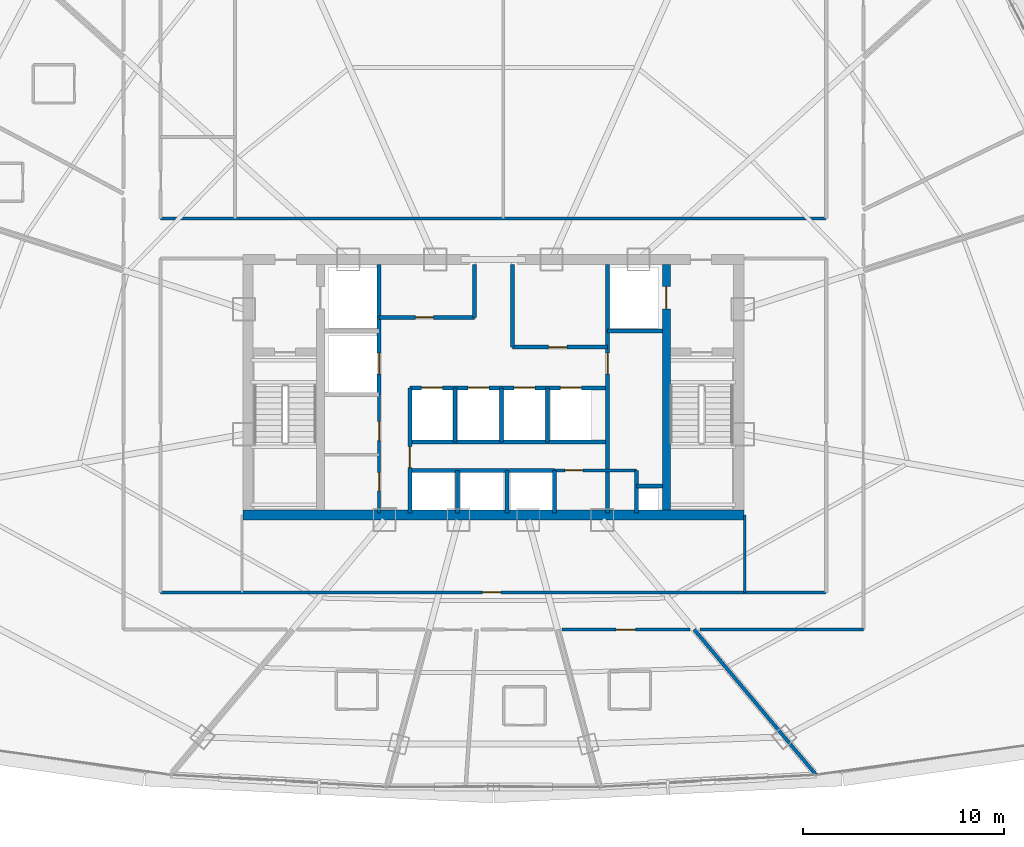
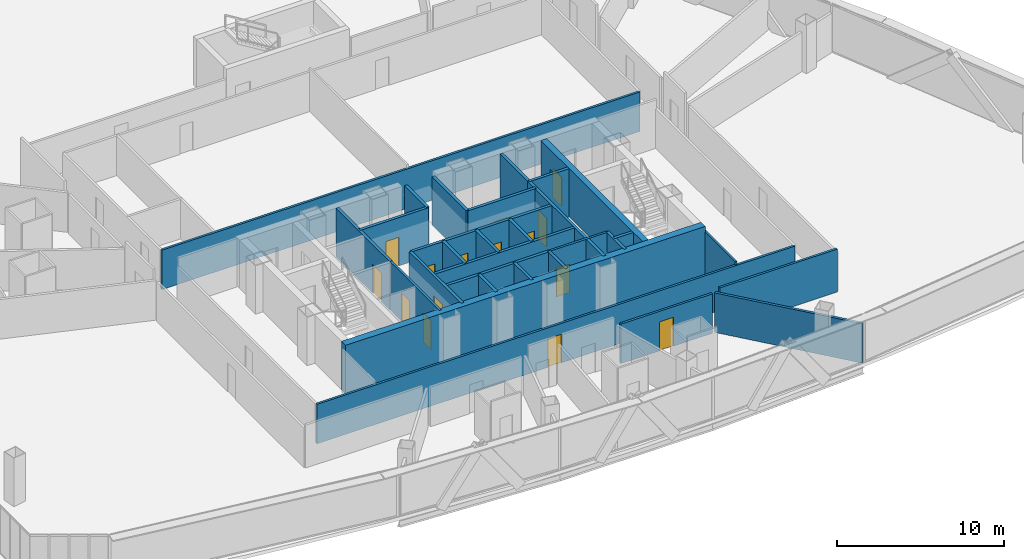
# One storey, part 33 of 40: 30 walls, 15 doors, 15 openings.
"""IFC4 building model written with IfcOpenShell, lengths in metres."""

from ifc_helpers import new_model, si_unit, direction, frame, frame_2d, origin, origin_with_axes, place, context, subcontext, project, spatial, rectangle, extrude, source, transform, mapped, material, layer, layer_set, type_object, element, fill, save


model = new_model("IFC4")

# Units and contexts
model_context = context("Model", 3, precision=1e-05, world=origin(), true_north=direction((0.0, 1.0)))
body_context = subcontext(model_context, "Body", "Model", "MODEL_VIEW")
ifc_project = project(units=[si_unit("LENGTHUNIT", "METRE"), si_unit("AREAUNIT", "SQUARE_METRE"), si_unit("VOLUMEUNIT", "CUBIC_METRE"), si_unit("PLANEANGLEUNIT", "RADIAN"), si_unit("MASSUNIT", "GRAM", prefix="KILO"), si_unit("THERMODYNAMICTEMPERATUREUNIT", "KELVIN"), si_unit("POWERUNIT", "WATT")], contexts=[model_context])

# Site, building, storey
site_placement = place(None, origin())
site = spatial("IfcSite", under=ifc_project, at=site_placement, CompositionType="ELEMENT")
building_placement = place(site_placement, origin())
building = spatial("IfcBuilding", under=site, at=building_placement, Name="Yunzhuo Pagoda Commons", CompositionType="ELEMENT")
storey_placement = place(building_placement, frame((0.0, 0.0, 180.9599609375)))
storey = spatial("IfcBuildingStorey", under=building, at=storey_placement, Name="L45", CompositionType="ELEMENT", Elevation=180.9599609375)

# Wall
ifc_material_1 = material(Name="Concrete C50", Category="concrete")
ifc_layer_1 = layer(ifc_material_1, 0.5)
ifc_layer_set_1 = layer_set([ifc_layer_1], Name="Concrete C50")
wall_type_1 = type_object("IfcWallType", Name="W-C03 Upper Core Shear Wall 500", PredefinedType="SHEAR", material=ifc_layer_set_1)
wall_1_placement = place(storey_placement, frame((35.550048828125, 27.5, 0.0), z_axis=(0.0, 0.0, 1.0), x_axis=(1.0, 0.0, 0.0)))
element("IfcWall", 1, at=wall_1_placement, inside=storey, type_object=wall_type_1, Name="L45 core shear wall S", PredefinedType="SHEAR", context=body_context, shape_type="SweptSolid", body=[
    extrude(rectangle(XDim=24.89990234375, YDim=0.5, at=frame_2d((12.449951171875, 0.0))), origin(), (0.0, 0.0, 1.0), 3.5400390625),
])

# Wall, openings, doors
ifc_material_2 = material(Name="Gypsum plasterboard on acoustic stud")
ifc_layer_2 = layer(ifc_material_2, 0.155029296875)
ifc_layer_set_2 = layer_set([ifc_layer_2], Name="Gypsum plasterboard on acoustic stud")
wall_type_2 = type_object("IfcWallType", Name="W-COR2 Mid-Zone Rated Corridor Wall 155", PredefinedType="PARTITIONING", material=ifc_layer_set_2)
wall_2_placement = place(storey_placement, frame((42.320068359375, 27.60009765625, 0.0), z_axis=(0.0, 0.0, 1.0), x_axis=(0.0, 1.0, 0.0)))
wall_2 = element("IfcWall", 2, at=wall_2_placement, inside=storey, type_object=wall_type_2, Name="L45 interior wall IW-L45-CSWE", PredefinedType="PARTITIONING", context=body_context, shape_type="SweptSolid", body=[
    extrude(rectangle(XDim=5.89990234375, YDim=0.155029296875, at=frame_2d((2.949951171875, 0.0))), origin(), (0.0, 0.0, 1.0), 3.5400390625),
])
opening_1_placement = place(wall_2_placement, frame((1.10009765625, 0.0, 0.0)))
opening_1 = element("IfcOpeningElement", 3, at=opening_1_placement, cuts=wall_2, Name="Opening D-03", PredefinedType="OPENING", context=body_context, shape_type="SweptSolid", body=[
    extrude(rectangle(XDim=0.89990234375, YDim=2.10009765625, at=frame_2d((0.449951171875, 1.050048828125))), frame((0.0, 0.08740234375, 0.0), z_axis=(0.0, -1.0, 0.0), x_axis=(1.0, 0.0, 0.0)), (0.0, 0.0, 1.0), 0.175048828125),
])
opening_2_placement = place(wall_2_placement, frame((3.60009765625, 0.0, 0.0)))
opening_2 = element("IfcOpeningElement", 4, at=opening_2_placement, cuts=wall_2, Name="Opening D-11", PredefinedType="OPENING", context=body_context, shape_type="SweptSolid", body=[
    extrude(rectangle(XDim=0.93994140625, YDim=2.10009765625, at=frame_2d((0.469970703125, 1.050048828125))), frame((0.0, 0.08740234375, 0.0), z_axis=(0.0, -1.0, 0.0), x_axis=(1.0, 0.0, 0.0)), (0.0, 0.0, 1.0), 0.175048828125),
])
ifc_material_3 = material(Name="Galvanized fire-resisting metal leaf")
door_type_1 = type_object("IfcDoorType", Name="D-03 Core Service Fire Door 900x2100", OperationType="NOTDEFINED", PredefinedType="DOOR", material=ifc_material_3)
shared_shape_1 = source(origin(), body_context, "Body", "SweptSolid", [
    extrude(rectangle(XDim=0.89990234375, YDim=2.10009765625, at=frame_2d((0.449951171875, 1.050048828125))), frame((0.0, 0.02490234375, 0.0), z_axis=(0.0, -1.0, 0.0), x_axis=(1.0, 0.0, 0.0)), (0.0, 0.0, 1.0), 0.050048828125),
])
door_1_placement = place(opening_1_placement, origin_with_axes())
door_1 = element("IfcDoor", 5, at=door_1_placement, inside=storey, type_object=door_type_1, Name="L45 housekeeping door", OperationType="SINGLE_SWING_RIGHT", OverallHeight=2.10009765625, OverallWidth=0.89990234375, PredefinedType="DOOR", context=body_context, shape_type="MappedRepresentation", body=[
    mapped(shared_shape_1, transform((0.0, 0.0, 0.0), scale=1.0)),
])
fill(opening_1, door_1)
door_type_2 = type_object("IfcDoorType", Name="D-11 Accessible Washroom Fire Door 940x2100", OperationType="NOTDEFINED", PredefinedType="DOOR", material=ifc_material_3)
shared_shape_2 = source(origin(), body_context, "Body", "SweptSolid", [
    extrude(rectangle(XDim=0.93994140625, YDim=2.10009765625, at=frame_2d((0.469970703125, 1.050048828125))), frame((0.0, 0.02490234375, 0.0), z_axis=(0.0, -1.0, 0.0), x_axis=(1.0, 0.0, 0.0)), (0.0, 0.0, 1.0), 0.050048828125),
])
door_2_placement = place(opening_2_placement, origin_with_axes())
door_2 = element("IfcDoor", 6, at=door_2_placement, inside=storey, type_object=door_type_2, Name="L45 core WC door", OperationType="SINGLE_SWING_RIGHT", OverallHeight=2.10009765625, OverallWidth=0.93994140625, PredefinedType="DOOR", context=body_context, shape_type="MappedRepresentation", body=[
    mapped(shared_shape_2, transform((0.0, 0.0, 0.0), scale=1.0)),
])
fill(opening_2, door_2)

# Wall, opening, door
wall_3_placement = place(storey_placement, frame((51.050048828125, 29.719970703125, 0.0), z_axis=(0.0, 0.0, 1.0), x_axis=(1.0, 0.0, 0.0)))
wall_3 = element("IfcWall", 7, at=wall_3_placement, inside=storey, type_object=wall_type_2, Name="L45 interior wall IW-L45-CSES", PredefinedType="PARTITIONING", context=body_context, shape_type="SweptSolid", body=[
    extrude(rectangle(XDim=4.070068359375, YDim=0.155029296875, at=frame_2d((2.03515625, 0.0))), origin(), (0.0, 0.0, 1.0), 3.5400390625),
])
opening_3_placement = place(wall_3_placement, frame((0.5, 0.0, 0.0)))
opening_3 = element("IfcOpeningElement", 8, at=opening_3_placement, cuts=wall_3, Name="Opening D-03", PredefinedType="OPENING", context=body_context, shape_type="SweptSolid", body=[
    extrude(rectangle(XDim=0.89990234375, YDim=2.10009765625, at=frame_2d((0.449951171875, 1.050048828125))), frame((0.0, 0.08740234375, 0.0), z_axis=(0.0, -1.0, 0.0), x_axis=(1.0, 0.0, 0.0)), (0.0, 0.0, 1.0), 0.175048828125),
])
door_3_placement = place(opening_3_placement, origin_with_axes())
door_3 = element("IfcDoor", 9, at=door_3_placement, inside=storey, type_object=door_type_1, Name="L45 IT closet door", OperationType="SINGLE_SWING_LEFT", OverallHeight=2.10009765625, OverallWidth=0.89990234375, PredefinedType="DOOR", context=body_context, shape_type="MappedRepresentation", body=[
    mapped(shared_shape_1, transform((0.0, 0.0, 0.0), scale=1.0)),
])
fill(opening_3, door_3)

# Wall
wall_4_placement = place(storey_placement, frame((31.449951171875, 42.25, 0.0), z_axis=(0.0, 0.0, 1.0), x_axis=(1.0, 0.0, 0.0)))
element("IfcWall", 10, at=wall_4_placement, inside=storey, type_object=wall_type_2, Name="L45 interior wall IW-L45-MCNS", PredefinedType="PARTITIONING", context=body_context, shape_type="SweptSolid", body=[
    extrude(rectangle(XDim=33.10009765625, YDim=0.155029296875, at=frame_2d((16.550048828125, 0.0))), origin(), (0.0, 0.0, 1.0), 2.89013671875),
])

# Wall, opening, door
wall_5_placement = place(storey_placement, frame((31.449951171875, 23.64990234375, 0.0), z_axis=(0.0, 0.0, 1.0), x_axis=(1.0, 0.0, 0.0)))
wall_5 = element("IfcWall", 11, at=wall_5_placement, inside=storey, type_object=wall_type_2, Name="L45 interior wall IW-L45-SFLS", PredefinedType="PARTITIONING", context=body_context, shape_type="SweptSolid", body=[
    extrude(rectangle(XDim=33.10009765625, YDim=0.155029296875, at=frame_2d((16.550048828125, 0.0))), origin(), (0.0, 0.0, 1.0), 2.89013671875),
])
opening_4_placement = place(wall_5_placement, frame((16.0, 0.0, 0.0)))
opening_4 = element("IfcOpeningElement", 12, at=opening_4_placement, cuts=wall_5, Name="Opening D-04", PredefinedType="OPENING", context=body_context, shape_type="SweptSolid", body=[
    extrude(rectangle(XDim=0.919921875, YDim=2.10009765625, at=frame_2d((0.4599609375, 1.050048828125))), frame((0.0, 0.08740234375, 0.0), z_axis=(0.0, -1.0, 0.0), x_axis=(1.0, 0.0, 0.0)), (0.0, 0.0, 1.0), 0.175048828125),
])
ifc_material_4 = material(Name="Powder-coated aluminium and timber acoustic leaf", Category="wood")
door_type_3 = type_object("IfcDoorType", Name="D-04 Bedroom & Study Interior Door 920x2100", OperationType="NOTDEFINED", PredefinedType="DOOR", material=ifc_material_4)
shared_shape_3 = source(origin(), body_context, "Body", "SweptSolid", [
    extrude(rectangle(XDim=0.919921875, YDim=2.10009765625, at=frame_2d((0.4599609375, 1.050048828125))), frame((0.0, 0.02490234375, 0.0), z_axis=(0.0, -1.0, 0.0), x_axis=(1.0, 0.0, 0.0)), (0.0, 0.0, 1.0), 0.050048828125),
])
door_4_placement = place(opening_4_placement, frame((0.919921875, 0.0, 0.0), z_axis=(0.0, 0.0, 1.0), x_axis=(-1.0, 0.0, 0.0)))
door_4 = element("IfcDoor", 13, at=door_4_placement, inside=storey, type_object=door_type_3, Name="L45 south seminar room door", OperationType="SINGLE_SWING_RIGHT", OverallHeight=2.10009765625, OverallWidth=0.919921875, PredefinedType="DOOR", context=body_context, shape_type="MappedRepresentation", body=[
    mapped(shared_shape_3, transform((0.0, 0.0, 0.0), scale=1.0)),
])
fill(opening_4, door_4)

# Wall
wall_6_placement = place(storey_placement, frame((66.39990234375, 21.800048828125, 0.0), z_axis=(0.0, 0.0, 1.0), x_axis=(-1.0, 0.0, 0.0)))
element("IfcWall", 14, at=wall_6_placement, inside=storey, type_object=wall_type_2, Name="L45 interior wall IW-L45-CWL13", PredefinedType="PARTITIONING", context=body_context, shape_type="SweptSolid", body=[
    extrude(rectangle(XDim=8.12744140625, YDim=0.155029296875, at=frame_2d((4.063720703125, 0.0))), origin(), (0.0, 0.0, 1.0), 3.14013671875),
])

# Wall, opening, door
wall_7_placement = place(storey_placement, frame((57.765380859375, 21.800048828125, 0.0), z_axis=(0.0, 0.0, 1.0), x_axis=(-1.0, 0.0, 0.0)))
wall_7 = element("IfcWall", 15, at=wall_7_placement, inside=storey, type_object=wall_type_2, Name="L45 interior wall IW-L45-CWL14", PredefinedType="PARTITIONING", context=body_context, shape_type="SweptSolid", body=[
    extrude(rectangle(XDim=6.348876953125, YDim=0.155029296875, at=frame_2d((3.17431640625, 0.0))), origin(), (0.0, 0.0, 1.0), 2.89013671875),
])
opening_5_placement = place(wall_7_placement, frame((2.703369140625, 0.0, 0.0)))
opening_5 = element("IfcOpeningElement", 16, at=opening_5_placement, cuts=wall_7, Name="Opening D-07", PredefinedType="OPENING", context=body_context, shape_type="SweptSolid", body=[
    extrude(rectangle(XDim=0.9599609375, YDim=2.1201171875, at=frame_2d((0.47998046875, 1.06005859375))), frame((0.0, 0.08740234375, 0.0), z_axis=(0.0, -1.0, 0.0), x_axis=(1.0, 0.0, 0.0)), (0.0, 0.0, 1.0), 0.175048828125),
])
door_type_4 = type_object("IfcDoorType", Name="D-07 Mid-Zone Suite Entrance Fire Door 960x2120", OperationType="NOTDEFINED", PredefinedType="DOOR", material=ifc_material_3)
shared_shape_4 = source(origin(), body_context, "Body", "SweptSolid", [
    extrude(rectangle(XDim=0.9599609375, YDim=2.1201171875, at=frame_2d((0.47998046875, 1.06005859375))), frame((0.0, 0.02490234375, 0.0), z_axis=(0.0, -1.0, 0.0), x_axis=(1.0, 0.0, 0.0)), (0.0, 0.0, 1.0), 0.050048828125),
])
door_5_placement = place(opening_5_placement, origin_with_axes())
door_5 = element("IfcDoor", 17, at=door_5_placement, inside=storey, type_object=door_type_4, Name="L45 unit 12 entrance door", OperationType="SINGLE_SWING_RIGHT", OverallHeight=2.1201171875, OverallWidth=0.9599609375, PredefinedType="DOOR", context=body_context, shape_type="MappedRepresentation", body=[
    mapped(shared_shape_4, transform((0.0, 0.0, 0.0), scale=1.0)),
])
fill(opening_5, door_5)

# Walls
ifc_layer_3 = layer(ifc_material_2, 0.1201171875)
ifc_layer_set_3 = layer_set([ifc_layer_3], Name="Gypsum plasterboard on acoustic stud")
wall_type_3 = type_object("IfcWallType", Name="W-PRT1 Suite & Bathroom Partition 120", PredefinedType="PARTITIONING", material=ifc_layer_set_3)
wall_8_placement = place(storey_placement, frame((60.5, 23.64990234375, 0.0), z_axis=(0.0, 0.0, 1.0), x_axis=(0.0, 1.0, 0.0)))
element("IfcWall", 18, at=wall_8_placement, inside=storey, type_object=wall_type_3, Name="L45 interior wall IW-L45-SFLD2", PredefinedType="PARTITIONING", context=body_context, shape_type="SweptSolid", body=[
    extrude(rectangle(XDim=3.85009765625, YDim=0.1201171875, at=frame_2d((1.925048828125, 0.0))), origin(), (0.0, 0.0, 1.0), 3.14013671875),
])
ifc_layer_4 = layer(ifc_material_2, 0.175048828125)
ifc_layer_set_4 = layer_set([ifc_layer_4], Name="Gypsum plasterboard on acoustic stud")
wall_type_4 = type_object("IfcWallType", Name="W-PRT3 Mid-Zone Demising Wall 175", PredefinedType="PARTITIONING", material=ifc_layer_set_4)
wall_9_placement = place(storey_placement, frame((57.9853515625, 21.800048828125, 0.0), z_axis=(0.0, 0.0, 1.0), x_axis=(0.642777943688, -0.766052553751, 0.0)))
element("IfcWall", 19, at=wall_9_placement, inside=storey, type_object=wall_type_4, Name="L45 interior wall IW-L45-RAD13", PredefinedType="PARTITIONING", context=body_context, shape_type="SweptSolid", body=[
    extrude(rectangle(XDim=9.430908203125, YDim=0.175048828125, at=frame_2d((4.71533203125, 0.0))), origin(), (0.0, 0.0, 1.0), 2.89013671875),
])

# Wall, opening, door
ifc_material_5 = material(Name="Concrete C60", Category="concrete")
ifc_layer_5 = layer(ifc_material_5, 0.39990234375)
ifc_layer_set_5 = layer_set([ifc_layer_5], Name="Concrete C60")
wall_type_5 = type_object("IfcWallType", Name="W-S01 Internal Core Shear Web 400", PredefinedType="SHEAR", material=ifc_layer_set_5)
wall_10_placement = place(storey_placement, frame((56.60009765625, 27.75, 0.0), z_axis=(0.0, 0.0, 1.0), x_axis=(0.0, 1.0, 0.0)))
wall_10 = element("IfcWall", 20, at=wall_10_placement, inside=storey, type_object=wall_type_5, Name="L45 core shear wall WEBE", PredefinedType="SHEAR", context=body_context, shape_type="SweptSolid", body=[
    extrude(rectangle(XDim=12.199951171875, YDim=0.39990234375, at=frame_2d((6.10009765625, 0.0))), origin(), (0.0, 0.0, 1.0), 3.5400390625),
])
opening_6_placement = place(wall_10_placement, frame((10.0, 0.0, 0.0)))
opening_6 = element("IfcOpeningElement", 21, at=opening_6_placement, cuts=wall_10, Name="Opening LD-01", PredefinedType="OPENING", context=body_context, shape_type="SweptSolid", body=[
    extrude(rectangle(XDim=1.10009765625, YDim=2.10009765625, at=frame_2d((0.550048828125, 1.050048828125))), frame((0.0, 0.2099609375, 0.0), z_axis=(0.0, -1.0, 0.0), x_axis=(1.0, 0.0, 0.0)), (0.0, 0.0, 1.0), 0.419921875),
])
door_type_5 = type_object("IfcDoorType", Name="LD-01 Firefighting Lift Landing Door 1100x2100", OperationType="DOUBLE_DOOR_SLIDING", PredefinedType="DOOR", material=ifc_material_3)
shared_shape_5 = source(origin(), body_context, "Body", "SweptSolid", [
    extrude(rectangle(XDim=1.10009765625, YDim=2.10009765625, at=frame_2d((0.550048828125, 1.050048828125))), frame((0.0, 0.02490234375, 0.0), z_axis=(0.0, -1.0, 0.0), x_axis=(1.0, 0.0, 0.0)), (0.0, 0.0, 1.0), 0.050048828125),
])
door_6_placement = place(opening_6_placement, origin_with_axes())
door_6 = element("IfcDoor", 22, at=door_6_placement, inside=storey, type_object=door_type_5, Name="L45 Firefighting lift FL-2 landing door", OperationType="DOUBLE_DOOR_SLIDING", OverallHeight=2.10009765625, OverallWidth=1.10009765625, PredefinedType="DOOR", context=body_context, shape_type="MappedRepresentation", body=[
    mapped(shared_shape_5, transform((0.0, 0.0, 0.0), scale=1.0)),
])
fill(opening_6, door_6)

ifc_material_6 = material(Name="Concrete C40", Category="concrete")
ifc_layer_6 = layer(ifc_material_6, 0.199951171875)
ifc_layer_set_6 = layer_set([ifc_layer_6], Name="Concrete C40")
wall_type_6 = type_object("IfcWallType", Name="W-SHF Shaft & Stair Enclosure Wall 200", PredefinedType="SOLIDWALL", material=ifc_layer_set_6)
wall_11_placement = place(storey_placement, frame((42.320068359375, 33.5, 0.0), z_axis=(0.0, 0.0, 1.0), x_axis=(0.0, 1.0, 0.0)))
wall_11 = element("IfcWall", 23, at=wall_11_placement, inside=storey, type_object=wall_type_6, Name="L45 interior wall IW-L45-FL1E", PredefinedType="SOLIDWALL", context=body_context, shape_type="SweptSolid", body=[
    extrude(rectangle(XDim=6.449951171875, YDim=0.199951171875, at=frame_2d((3.22509765625, 0.0))), origin(), (0.0, 0.0, 1.0), 3.5400390625),
])
opening_7_placement = place(wall_11_placement, frame((1.0, 0.0, 0.0)))
opening_7 = element("IfcOpeningElement", 24, at=opening_7_placement, cuts=wall_11, Name="Opening LD-02", PredefinedType="OPENING", context=body_context, shape_type="SweptSolid", body=[
    extrude(rectangle(XDim=1.050048828125, YDim=2.10009765625, at=frame_2d((0.52490234375, 1.050048828125))), frame((0.0, 0.10986328125, 0.0), z_axis=(0.0, -1.0, 0.0), x_axis=(1.0, 0.0, 0.0)), (0.0, 0.0, 1.0), 0.219970703125),
])
door_type_6 = type_object("IfcDoorType", Name="LD-02 Passenger Lift Landing Door 1050x2100", OperationType="DOUBLE_DOOR_SLIDING", PredefinedType="DOOR", material=ifc_material_3)
shared_shape_6 = source(origin(), body_context, "Body", "SweptSolid", [
    extrude(rectangle(XDim=1.050048828125, YDim=2.10009765625, at=frame_2d((0.52490234375, 1.050048828125))), frame((0.0, 0.02490234375, 0.0), z_axis=(0.0, -1.0, 0.0), x_axis=(1.0, 0.0, 0.0)), (0.0, 0.0, 1.0), 0.050048828125),
])
door_7_placement = place(opening_7_placement, origin_with_axes())
door_7 = element("IfcDoor", 25, at=door_7_placement, inside=storey, type_object=door_type_6, Name="L45 Service lift SL-1 landing door", OperationType="DOUBLE_DOOR_SLIDING", OverallHeight=2.10009765625, OverallWidth=1.050048828125, PredefinedType="DOOR", context=body_context, shape_type="MappedRepresentation", body=[
    mapped(shared_shape_6, transform((0.0, 0.0, 0.0), scale=1.0)),
])
fill(opening_7, door_7)

# Walls
wall_12_placement = place(storey_placement, frame((53.679931640625, 36.64990234375, 0.0), z_axis=(0.0, 0.0, 1.0), x_axis=(0.0, 1.0, 0.0)))
element("IfcWall", 26, at=wall_12_placement, inside=storey, type_object=wall_type_6, Name="L45 interior wall IW-L45-FL2W", PredefinedType="SOLIDWALL", context=body_context, shape_type="SweptSolid", body=[
    extrude(rectangle(XDim=3.300048828125, YDim=0.199951171875, at=frame_2d((1.64990234375, 0.0))), origin(), (0.0, 0.0, 1.0), 3.5400390625),
])
wall_13_placement = place(storey_placement, frame((53.679931640625, 36.64990234375, 0.0), z_axis=(0.0, 0.0, 1.0), x_axis=(1.0, 0.0, 0.0)))
element("IfcWall", 27, at=wall_13_placement, inside=storey, type_object=wall_type_6, Name="L45 interior wall IW-L45-FL2S", PredefinedType="SOLIDWALL", context=body_context, shape_type="SweptSolid", body=[
    extrude(rectangle(XDim=2.719970703125, YDim=0.199951171875, at=frame_2d((1.35986328125, 0.0))), origin(), (0.0, 0.0, 1.0), 3.5400390625),
])

# Wall, opening, door
wall_14_placement = place(storey_placement, frame((42.320068359375, 37.320068359375, 0.0), z_axis=(0.0, 0.0, 1.0), x_axis=(1.0, 0.0, 0.0)))
wall_14 = element("IfcWall", 28, at=wall_14_placement, inside=storey, type_object=wall_type_6, Name="L45 interior wall IW-L45-LBNW", PredefinedType="SOLIDWALL", context=body_context, shape_type="SweptSolid", body=[
    extrude(rectangle(XDim=4.72998046875, YDim=0.199951171875, at=frame_2d((2.364990234375, 0.0))), origin(), (0.0, 0.0, 1.0), 3.5400390625),
])
opening_8_placement = place(wall_14_placement, frame((1.800048828125, 0.0, 0.0)))
opening_8 = element("IfcOpeningElement", 29, at=opening_8_placement, cuts=wall_14, Name="Opening D-03", PredefinedType="OPENING", context=body_context, shape_type="SweptSolid", body=[
    extrude(rectangle(XDim=0.89990234375, YDim=2.10009765625, at=frame_2d((0.449951171875, 1.050048828125))), frame((0.0, 0.10986328125, 0.0), z_axis=(0.0, -1.0, 0.0), x_axis=(1.0, 0.0, 0.0)), (0.0, 0.0, 1.0), 0.219970703125),
])
door_8_placement = place(opening_8_placement, frame((0.89990234375, 0.0, 0.0), z_axis=(0.0, 0.0, 1.0), x_axis=(-1.0, 0.0, 0.0)))
door_8 = element("IfcDoor", 30, at=door_8_placement, inside=storey, type_object=door_type_1, Name="L45 core west store door", OperationType="SINGLE_SWING_LEFT", OverallHeight=2.10009765625, OverallWidth=0.89990234375, PredefinedType="DOOR", context=body_context, shape_type="MappedRepresentation", body=[
    mapped(shared_shape_1, transform((0.0, 0.0, 0.0), scale=1.0)),
])
fill(opening_8, door_8)

wall_15_placement = place(storey_placement, frame((48.949951171875, 35.85009765625, 0.0), z_axis=(0.0, 0.0, 1.0), x_axis=(1.0, 0.0, 0.0)))
wall_15 = element("IfcWall", 31, at=wall_15_placement, inside=storey, type_object=wall_type_6, Name="L45 interior wall IW-L45-LBNE", PredefinedType="SOLIDWALL", context=body_context, shape_type="SweptSolid", body=[
    extrude(rectangle(XDim=4.72998046875, YDim=0.199951171875, at=frame_2d((2.364990234375, 0.0))), origin(), (0.0, 0.0, 1.0), 3.5400390625),
])
opening_9_placement = place(wall_15_placement, frame((1.800048828125, 0.0, 0.0)))
opening_9 = element("IfcOpeningElement", 32, at=opening_9_placement, cuts=wall_15, Name="Opening D-03", PredefinedType="OPENING", context=body_context, shape_type="SweptSolid", body=[
    extrude(rectangle(XDim=0.89990234375, YDim=2.10009765625, at=frame_2d((0.449951171875, 1.050048828125))), frame((0.0, 0.10986328125, 0.0), z_axis=(0.0, -1.0, 0.0), x_axis=(1.0, 0.0, 0.0)), (0.0, 0.0, 1.0), 0.219970703125),
])
door_9_placement = place(opening_9_placement, frame((0.89990234375, 0.0, 0.0), z_axis=(0.0, 0.0, 1.0), x_axis=(-1.0, 0.0, 0.0)))
door_9 = element("IfcDoor", 33, at=door_9_placement, inside=storey, type_object=door_type_1, Name="L45 core east store door", OperationType="SINGLE_SWING_RIGHT", OverallHeight=2.10009765625, OverallWidth=0.89990234375, PredefinedType="DOOR", context=body_context, shape_type="MappedRepresentation", body=[
    mapped(shared_shape_1, transform((0.0, 0.0, 0.0), scale=1.0)),
])
fill(opening_9, door_9)

# Walls
wall_16_placement = place(storey_placement, frame((47.050048828125, 37.320068359375, 0.0), z_axis=(0.0, 0.0, 1.0), x_axis=(0.0, 1.0, 0.0)))
element("IfcWall", 34, at=wall_16_placement, inside=storey, type_object=wall_type_6, Name="L45 interior wall IW-L45-THRW", PredefinedType="SOLIDWALL", context=body_context, shape_type="SweptSolid", body=[
    extrude(rectangle(XDim=2.6298828125, YDim=0.199951171875, at=frame_2d((1.31494140625, 0.0))), origin(), (0.0, 0.0, 1.0), 3.5400390625),
])
wall_17_placement = place(storey_placement, frame((48.949951171875, 35.85009765625, 0.0), z_axis=(0.0, 0.0, 1.0), x_axis=(0.0, 1.0, 0.0)))
element("IfcWall", 35, at=wall_17_placement, inside=storey, type_object=wall_type_6, Name="L45 interior wall IW-L45-THRE", PredefinedType="SOLIDWALL", context=body_context, shape_type="SweptSolid", body=[
    extrude(rectangle(XDim=4.099853515625, YDim=0.199951171875, at=frame_2d((2.0498046875, 0.0))), origin(), (0.0, 0.0, 1.0), 3.5400390625),
])

# Wall, openings, doors
wall_18_placement = place(storey_placement, frame((43.85009765625, 33.820068359375, 0.0), z_axis=(0.0, 0.0, 1.0), x_axis=(1.0, 0.0, 0.0)))
wall_18 = element("IfcWall", 36, at=wall_18_placement, inside=storey, type_object=wall_type_6, Name="L45 interior wall IW-L45-MLBS", PredefinedType="SOLIDWALL", context=body_context, shape_type="SweptSolid", body=[
    extrude(rectangle(XDim=9.829833984375, YDim=0.199951171875, at=frame_2d((4.9150390625, 0.0))), origin(), (0.0, 0.0, 1.0), 3.5400390625),
])
opening_10_placement = place(wall_18_placement, frame((0.574951171875, 0.0, 0.0)))
opening_10 = element("IfcOpeningElement", 37, at=opening_10_placement, cuts=wall_18, Name="Opening LD-02", PredefinedType="OPENING", context=body_context, shape_type="SweptSolid", body=[
    extrude(rectangle(XDim=1.050048828125, YDim=2.10009765625, at=frame_2d((0.52490234375, 1.050048828125))), frame((0.0, 0.10986328125, 0.0), z_axis=(0.0, -1.0, 0.0), x_axis=(1.0, 0.0, 0.0)), (0.0, 0.0, 1.0), 0.219970703125),
])
opening_11_placement = place(wall_18_placement, frame((2.875, 0.0, 0.0)))
opening_11 = element("IfcOpeningElement", 38, at=opening_11_placement, cuts=wall_18, Name="Opening LD-02", PredefinedType="OPENING", context=body_context, shape_type="SweptSolid", body=[
    extrude(rectangle(XDim=1.050048828125, YDim=2.10009765625, at=frame_2d((0.52490234375, 1.050048828125))), frame((0.0, 0.10986328125, 0.0), z_axis=(0.0, -1.0, 0.0), x_axis=(1.0, 0.0, 0.0)), (0.0, 0.0, 1.0), 0.219970703125),
])
opening_12_placement = place(wall_18_placement, frame((5.175048828125, 0.0, 0.0)))
opening_12 = element("IfcOpeningElement", 39, at=opening_12_placement, cuts=wall_18, Name="Opening LD-02", PredefinedType="OPENING", context=body_context, shape_type="SweptSolid", body=[
    extrude(rectangle(XDim=1.050048828125, YDim=2.10009765625, at=frame_2d((0.52490234375, 1.050048828125))), frame((0.0, 0.10986328125, 0.0), z_axis=(0.0, -1.0, 0.0), x_axis=(1.0, 0.0, 0.0)), (0.0, 0.0, 1.0), 0.219970703125),
])
opening_13_placement = place(wall_18_placement, frame((7.47509765625, 0.0, 0.0)))
opening_13 = element("IfcOpeningElement", 40, at=opening_13_placement, cuts=wall_18, Name="Opening LD-02", PredefinedType="OPENING", context=body_context, shape_type="SweptSolid", body=[
    extrude(rectangle(XDim=1.050048828125, YDim=2.10009765625, at=frame_2d((0.52490234375, 1.050048828125))), frame((0.0, 0.10986328125, 0.0), z_axis=(0.0, -1.0, 0.0), x_axis=(1.0, 0.0, 0.0)), (0.0, 0.0, 1.0), 0.219970703125),
])
door_10_placement = place(opening_10_placement, origin_with_axes())
door_10 = element("IfcDoor", 41, at=door_10_placement, inside=storey, type_object=door_type_6, Name="L45 Passenger lift PL-M1 landing door", OperationType="DOUBLE_DOOR_SLIDING", OverallHeight=2.10009765625, OverallWidth=1.050048828125, PredefinedType="DOOR", context=body_context, shape_type="MappedRepresentation", body=[
    mapped(shared_shape_6, transform((0.0, 0.0, 0.0), scale=1.0)),
])
fill(opening_10, door_10)
door_11_placement = place(opening_11_placement, origin_with_axes())
door_11 = element("IfcDoor", 42, at=door_11_placement, inside=storey, type_object=door_type_6, Name="L45 Passenger lift PL-M2 landing door", OperationType="DOUBLE_DOOR_SLIDING", OverallHeight=2.10009765625, OverallWidth=1.050048828125, PredefinedType="DOOR", context=body_context, shape_type="MappedRepresentation", body=[
    mapped(shared_shape_6, transform((0.0, 0.0, 0.0), scale=1.0)),
])
fill(opening_11, door_11)
door_12_placement = place(opening_12_placement, origin_with_axes())
door_12 = element("IfcDoor", 43, at=door_12_placement, inside=storey, type_object=door_type_6, Name="L45 Passenger lift PL-M3 landing door", OperationType="DOUBLE_DOOR_SLIDING", OverallHeight=2.10009765625, OverallWidth=1.050048828125, PredefinedType="DOOR", context=body_context, shape_type="MappedRepresentation", body=[
    mapped(shared_shape_6, transform((0.0, 0.0, 0.0), scale=1.0)),
])
fill(opening_12, door_12)
door_13_placement = place(opening_13_placement, origin_with_axes())
door_13 = element("IfcDoor", 44, at=door_13_placement, inside=storey, type_object=door_type_6, Name="L45 Passenger lift PL-M4 landing door", OperationType="DOUBLE_DOOR_SLIDING", OverallHeight=2.10009765625, OverallWidth=1.050048828125, PredefinedType="DOOR", context=body_context, shape_type="MappedRepresentation", body=[
    mapped(shared_shape_6, transform((0.0, 0.0, 0.0), scale=1.0)),
])
fill(opening_13, door_13)

# Wall, opening, door
wall_19_placement = place(storey_placement, frame((43.85009765625, 27.60009765625, 0.0), z_axis=(0.0, 0.0, 1.0), x_axis=(0.0, 1.0, 0.0)))
wall_19 = element("IfcWall", 45, at=wall_19_placement, inside=storey, type_object=wall_type_6, Name="L45 interior wall IW-L45-PLMW", PredefinedType="SOLIDWALL", context=body_context, shape_type="SweptSolid", body=[
    extrude(rectangle(XDim=6.219970703125, YDim=0.199951171875, at=frame_2d((3.10986328125, 0.0))), origin(), (0.0, 0.0, 1.0), 3.5400390625),
])
opening_14_placement = place(wall_19_placement, frame((2.25, 0.0, 0.0)))
opening_14 = element("IfcOpeningElement", 46, at=opening_14_placement, cuts=wall_19, Name="Opening D-02", PredefinedType="OPENING", context=body_context, shape_type="SweptSolid", body=[
    extrude(rectangle(XDim=1.050048828125, YDim=2.10009765625, at=frame_2d((0.52490234375, 1.050048828125))), frame((0.0, 0.10986328125, 0.0), z_axis=(0.0, -1.0, 0.0), x_axis=(1.0, 0.0, 0.0)), (0.0, 0.0, 1.0), 0.219970703125),
])
door_type_7 = type_object("IfcDoorType", Name="D-02 Firefighting Lobby & Refuge Fire Door 1050x2100", OperationType="NOTDEFINED", PredefinedType="DOOR", material=ifc_material_3)
door_14_placement = place(opening_14_placement, frame((1.050048828125, 0.0, 0.0), z_axis=(0.0, 0.0, 1.0), x_axis=(-1.0, 0.0, 0.0)))
door_14 = element("IfcDoor", 47, at=door_14_placement, inside=storey, type_object=door_type_7, Name="L45 High-bank hall west door", OperationType="SINGLE_SWING_LEFT", OverallHeight=2.10009765625, OverallWidth=1.050048828125, PredefinedType="DOOR", context=body_context, shape_type="MappedRepresentation", body=[
    mapped(shared_shape_6, transform((0.0, 0.0, 0.0), scale=1.0)),
])
fill(opening_14, door_14)

wall_20_placement = place(storey_placement, frame((53.679931640625, 27.60009765625, 0.0), z_axis=(0.0, 0.0, 1.0), x_axis=(0.0, 1.0, 0.0)))
wall_20 = element("IfcWall", 48, at=wall_20_placement, inside=storey, type_object=wall_type_6, Name="L45 interior wall IW-L45-PLME", PredefinedType="SOLIDWALL", context=body_context, shape_type="SweptSolid", body=[
    extrude(rectangle(XDim=9.0498046875, YDim=0.199951171875, at=frame_2d((4.52490234375, 0.0))), origin(), (0.0, 0.0, 1.0), 3.5400390625),
])
opening_15_placement = place(wall_20_placement, frame((6.89990234375, 0.0, 0.0)))
opening_15 = element("IfcOpeningElement", 49, at=opening_15_placement, cuts=wall_20, Name="Opening D-02", PredefinedType="OPENING", context=body_context, shape_type="SweptSolid", body=[
    extrude(rectangle(XDim=1.050048828125, YDim=2.10009765625, at=frame_2d((0.52490234375, 1.050048828125))), frame((0.0, 0.10986328125, 0.0), z_axis=(0.0, -1.0, 0.0), x_axis=(1.0, 0.0, 0.0)), (0.0, 0.0, 1.0), 0.219970703125),
])
door_15_placement = place(opening_15_placement, origin_with_axes())
door_15 = element("IfcDoor", 50, at=door_15_placement, inside=storey, type_object=door_type_7, Name="L45 High-bank lift hall door", OperationType="SINGLE_SWING_RIGHT", OverallHeight=2.10009765625, OverallWidth=1.050048828125, PredefinedType="DOOR", context=body_context, shape_type="MappedRepresentation", body=[
    mapped(shared_shape_6, transform((0.0, 0.0, 0.0), scale=1.0)),
])
fill(opening_15, door_15)

# Walls
for number, where, z_axis, x_axis, name in (
    (51, (46.10009765625, 31.1201171875, 0.0), (0.0, 0.0, 1.0), (0.0, 1.0, 0.0), "L45 interior wall IW-L45-PLMD1"),
    (52, (48.39990234375, 31.1201171875, 0.0), (0.0, 0.0, 1.0), (0.0, 1.0, 0.0), "L45 interior wall IW-L45-PLMD2"),
    (53, (50.699951171875, 31.1201171875, 0.0), (0.0, 0.0, 1.0), (0.0, 1.0, 0.0), "L45 interior wall IW-L45-PLMD3"),
):
    element("IfcWall", number, at=place(storey_placement, frame(where, z_axis=z_axis, x_axis=x_axis)), inside=storey, type_object=wall_type_6, Name=name, PredefinedType="SOLIDWALL", context=body_context, shape_type="SweptSolid", body=[
        extrude(rectangle(XDim=2.699951171875, YDim=0.199951171875, at=frame_2d((1.35009765625, 0.0))), origin(), (0.0, 0.0, 1.0), 3.5400390625),
    ])
wall_21_placement = place(storey_placement, frame((43.85009765625, 29.719970703125, 0.0), z_axis=(0.0, 0.0, 1.0), x_axis=(1.0, 0.0, 0.0)))
element("IfcWall", 54, at=wall_21_placement, inside=storey, type_object=wall_type_6, Name="L45 interior wall IW-L45-PLHN", PredefinedType="SOLIDWALL", context=body_context, shape_type="SweptSolid", body=[
    extrude(rectangle(XDim=7.199951171875, YDim=0.199951171875, at=frame_2d((3.60009765625, 0.0))), origin(), (0.0, 0.0, 1.0), 3.5400390625),
])
wall_22_placement = place(storey_placement, frame((51.050048828125, 27.60009765625, 0.0), z_axis=(0.0, 0.0, 1.0), x_axis=(0.0, 1.0, 0.0)))
element("IfcWall", 55, at=wall_22_placement, inside=storey, type_object=wall_type_6, Name="L45 interior wall IW-L45-PLHE", PredefinedType="SOLIDWALL", context=body_context, shape_type="SweptSolid", body=[
    extrude(rectangle(XDim=2.119873046875, YDim=0.199951171875, at=frame_2d((1.06005859375, 0.0))), origin(), (0.0, 0.0, 1.0), 3.5400390625),
])
wall_23_placement = place(storey_placement, frame((43.85009765625, 31.1201171875, 0.0), z_axis=(0.0, 0.0, 1.0), x_axis=(1.0, 0.0, 0.0)))
element("IfcWall", 56, at=wall_23_placement, inside=storey, type_object=wall_type_6, Name="L45 interior wall IW-L45-PLMS2", PredefinedType="SOLIDWALL", context=body_context, shape_type="SweptSolid", body=[
    extrude(rectangle(XDim=9.829833984375, YDim=0.199951171875, at=frame_2d((4.9150390625, 0.0))), origin(), (0.0, 0.0, 1.0), 3.5400390625),
])
for number, where, z_axis, x_axis, name in (
    (57, (46.22509765625, 27.60009765625, 0.0), (0.0, 0.0, 1.0), (0.0, 1.0, 0.0), "L45 interior wall IW-L45-PLHD1"),
    (58, (48.675048828125, 27.60009765625, 0.0), (0.0, 0.0, 1.0), (0.0, 1.0, 0.0), "L45 interior wall IW-L45-PLHD2"),
    (59, (55.1201171875, 27.60009765625, 0.0), (0.0, 0.0, 1.0), (0.0, 1.0, 0.0), "L45 interior wall IW-L45-RSHFW"),
):
    element("IfcWall", number, at=place(storey_placement, frame(where, z_axis=z_axis, x_axis=x_axis)), inside=storey, type_object=wall_type_6, Name=name, PredefinedType="SOLIDWALL", context=body_context, shape_type="SweptSolid", body=[
        extrude(rectangle(XDim=2.119873046875, YDim=0.199951171875, at=frame_2d((1.06005859375, 0.0))), origin(), (0.0, 0.0, 1.0), 3.5400390625),
    ])
wall_24_placement = place(storey_placement, frame((55.1201171875, 28.949951171875, 0.0), z_axis=(0.0, 0.0, 1.0), x_axis=(1.0, 0.0, 0.0)))
element("IfcWall", 60, at=wall_24_placement, inside=storey, type_object=wall_type_6, Name="L45 interior wall IW-L45-RSHFN", PredefinedType="SOLIDWALL", context=body_context, shape_type="SweptSolid", body=[
    extrude(rectangle(XDim=1.27978515625, YDim=0.199951171875, at=frame_2d((0.639892578125, 0.0))), origin(), (0.0, 0.0, 1.0), 3.5400390625),
])

save(model, "model.ifc")
